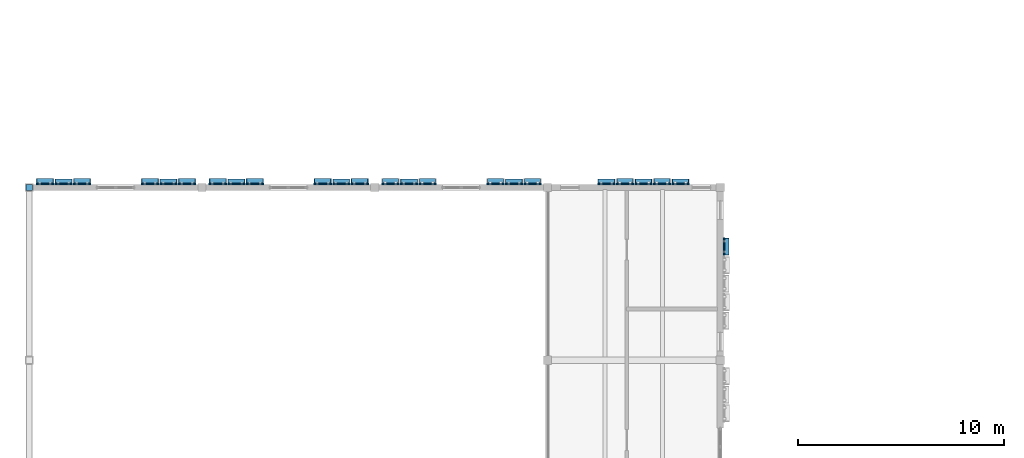
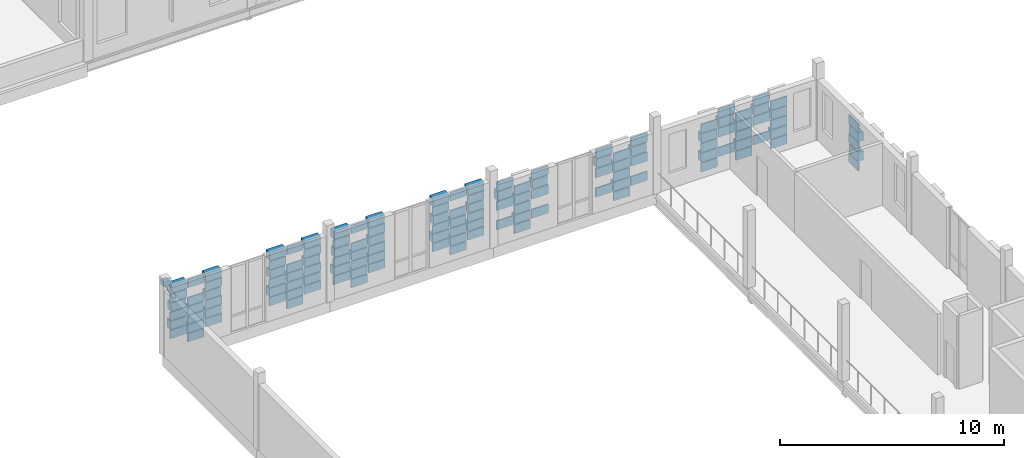
# One storey, part 50 of 81: 127 plates.
"""IFC4 building model written with IfcOpenShell, lengths in metres."""

from ifc_helpers import new_model, si_unit, direction, frame, origin, origin_2d, place, context, subcontext, project, spatial, rectangle, extrude, material, layer, layer_set, type_object, element, save


model = new_model("IFC4")

# Units and contexts
model_context = context("Model", 3, precision=1e-05, world=origin(), true_north=direction((0.0, 1.0)))
body_context = subcontext(model_context, "Body", "Model", "MODEL_VIEW")
ifc_project = project(units=[si_unit("LENGTHUNIT", "METRE"), si_unit("AREAUNIT", "SQUARE_METRE"), si_unit("VOLUMEUNIT", "CUBIC_METRE"), si_unit("PLANEANGLEUNIT", "RADIAN"), si_unit("MASSUNIT", "GRAM", prefix="KILO")], contexts=[model_context])

# Site, building, storey
site_placement = place(None, origin())
site = spatial("IfcSite", under=ifc_project, at=site_placement, CompositionType="ELEMENT")
building_placement = place(site_placement, origin())
building = spatial("IfcBuilding", under=site, at=building_placement, Name="Kahlenmark Community Centre", CompositionType="ELEMENT")
storey_placement = place(building_placement, frame((0.0, 0.0, 9.60009765625)))
storey = spatial("IfcBuildingStorey", under=building, at=storey_placement, Name="L02", CompositionType="ELEMENT", Elevation=9.60009765625)

# Plates
ifc_material_1 = material(Name="Extruded warm terracotta recessed weave tile", Category="masonry")
ifc_layer_1 = layer(ifc_material_1, 0.06005859375)
ifc_layer_set_1 = layer_set([ifc_layer_1], Name="Extruded warm terracotta recessed weave tile")
plate_type_1 = type_object("IfcPlateType", Name="PLT-TC-TC-R10-840X60X450", PredefinedType="SHEET", material=ifc_layer_set_1)
for number, where, z_axis, x_axis, name in (
    (1, (10.77001953125, 76.179931640625, 0.10009765625), (0.0, 0.0, 1.0), (-1.0, 0.0, 0.0), "Basketweave terracotta cassette 2480"),
    (2, (10.77001953125, 76.179931640625, 1.080078125), (0.0, 0.0, 1.0), (-1.0, 0.0, 0.0), "Basketweave terracotta cassette 2482"),
    (3, (10.77001953125, 76.179931640625, 2.06005859375), (0.0, 0.0, 1.0), (-1.0, 0.0, 0.0), "Basketweave terracotta cassette 2484"),
    (4, (10.77001953125, 76.179931640625, 3.0400390625), (0.0, 0.0, 1.0), (-1.0, 0.0, 0.0), "Basketweave terracotta cassette 2486"),
    (5, (5.669921875, 76.179931640625, 0.10009765625), (0.0, 0.0, 1.0), (-1.0, 0.0, 0.0), "Basketweave terracotta cassette 2501"),
    (6, (5.669921875, 76.179931640625, 1.080078125), (0.0, 0.0, 1.0), (-1.0, 0.0, 0.0), "Basketweave terracotta cassette 2503"),
    (7, (5.669921875, 76.179931640625, 2.06005859375), (0.0, 0.0, 1.0), (-1.0, 0.0, 0.0), "Basketweave terracotta cassette 2505"),
    (8, (5.669921875, 76.179931640625, 3.0400390625), (0.0, 0.0, 1.0), (-1.0, 0.0, 0.0), "Basketweave terracotta cassette 2507"),
    (9, (19.169921875, 76.179931640625, 0.10009765625), (0.0, 0.0, 1.0), (-1.0, 0.0, 0.0), "Basketweave terracotta cassette 2522"),
    (10, (19.169921875, 76.179931640625, 1.080078125), (0.0, 0.0, 1.0), (-1.0, 0.0, 0.0), "Basketweave terracotta cassette 2524"),
    (11, (19.169921875, 76.179931640625, 2.06005859375), (0.0, 0.0, 1.0), (-1.0, 0.0, 0.0), "Basketweave terracotta cassette 2526"),
    (12, (19.169921875, 76.179931640625, 3.0400390625), (0.0, 0.0, 1.0), (-1.0, 0.0, 0.0), "Basketweave terracotta cassette 2528"),
    (13, (14.070068359375, 76.179931640625, 0.10009765625), (0.0, 0.0, 1.0), (-1.0, 0.0, 0.0), "Basketweave terracotta cassette 2543"),
    (14, (14.070068359375, 76.179931640625, 1.080078125), (0.0, 0.0, 1.0), (-1.0, 0.0, 0.0), "Basketweave terracotta cassette 2545"),
    (15, (14.070068359375, 76.179931640625, 2.06005859375), (0.0, 0.0, 1.0), (-1.0, 0.0, 0.0), "Basketweave terracotta cassette 2547"),
    (16, (14.070068359375, 76.179931640625, 3.0400390625), (0.0, 0.0, 1.0), (-1.0, 0.0, 0.0), "Basketweave terracotta cassette 2549"),
):
    element("IfcPlate", number, at=place(storey_placement, frame(where, z_axis=z_axis, x_axis=x_axis)), inside=storey, type_object=plate_type_1, Name=name, PredefinedType="SHEET", context=body_context, shape_type="SweptSolid", body=[
        extrude(rectangle(XDim=0.840087890625, YDim=0.06005859375, at=origin_2d()), origin(), (0.0, 0.0, 1.0), 0.449951171875),
    ])
ifc_layer_2 = layer(ifc_material_1, 0.06005859375)
ifc_layer_set_2 = layer_set([ifc_layer_2], Name="Extruded warm terracotta recessed weave tile")
plate_type_2 = type_object("IfcPlateType", Name="PLT-TC-TC-R10-840X60X485", PredefinedType="SHEET", material=ifc_layer_set_2)
for number, where, z_axis, x_axis, name in (
    (17, (27.570068359375, 76.179931640625, 0.099609375), (0.0, 0.0, 1.0), (-1.0, 0.0, 0.0), "Basketweave terracotta cassette 2563"),
    (18, (27.570068359375, 76.179931640625, 1.14990234375), (0.0, 0.0, 1.0), (-1.0, 0.0, 0.0), "Basketweave terracotta cassette 2565"),
    (19, (27.570068359375, 76.179931640625, 2.19970703125), (0.0, 0.0, 1.0), (-1.0, 0.0, 0.0), "Basketweave terracotta cassette 2567"),
    (20, (22.469970703125, 76.179931640625, 0.099609375), (0.0, 0.0, 1.0), (-1.0, 0.0, 0.0), "Basketweave terracotta cassette 2581"),
    (21, (22.469970703125, 76.179931640625, 1.14990234375), (0.0, 0.0, 1.0), (-1.0, 0.0, 0.0), "Basketweave terracotta cassette 2583"),
    (22, (22.469970703125, 76.179931640625, 2.19970703125), (0.0, 0.0, 1.0), (-1.0, 0.0, 0.0), "Basketweave terracotta cassette 2585"),
    (23, (35.669921875, 76.179931640625, 0.099609375), (0.0, 0.0, 1.0), (-1.0, 0.0, 0.0), "Basketweave terracotta cassette 2593"),
    (24, (35.669921875, 76.179931640625, 1.14990234375), (0.0, 0.0, 1.0), (-1.0, 0.0, 0.0), "Basketweave terracotta cassette 2595"),
    (25, (35.669921875, 76.179931640625, 2.19970703125), (0.0, 0.0, 1.0), (-1.0, 0.0, 0.0), "Basketweave terracotta cassette 2597"),
    (26, (33.8701171875, 76.179931640625, 0.099609375), (0.0, 0.0, 1.0), (-1.0, 0.0, 0.0), "Basketweave terracotta cassette 2605"),
    (27, (33.8701171875, 76.179931640625, 1.14990234375), (0.0, 0.0, 1.0), (-1.0, 0.0, 0.0), "Basketweave terracotta cassette 2607"),
    (28, (33.8701171875, 76.179931640625, 2.19970703125), (0.0, 0.0, 1.0), (-1.0, 0.0, 0.0), "Basketweave terracotta cassette 2609"),
    (29, (32.070068359375, 76.179931640625, 0.099609375), (0.0, 0.0, 1.0), (-1.0, 0.0, 0.0), "Basketweave terracotta cassette 2617"),
    (30, (32.070068359375, 76.179931640625, 1.14990234375), (0.0, 0.0, 1.0), (-1.0, 0.0, 0.0), "Basketweave terracotta cassette 2619"),
    (31, (32.070068359375, 76.179931640625, 2.19970703125), (0.0, 0.0, 1.0), (-1.0, 0.0, 0.0), "Basketweave terracotta cassette 2621"),
    (32, (37.780029296875, 73.1298828125, 0.099609375), (0.0, 0.0, 1.0), (0.0, 1.0, 0.0), "Basketweave terracotta cassette 2755"),
    (33, (37.780029296875, 73.1298828125, 1.14990234375), (0.0, 0.0, 1.0), (0.0, 1.0, 0.0), "Basketweave terracotta cassette 2757"),
    (34, (37.780029296875, 73.1298828125, 2.19970703125), (0.0, 0.0, 1.0), (0.0, 1.0, 0.0), "Basketweave terracotta cassette 2759"),
):
    element("IfcPlate", number, at=place(storey_placement, frame(where, z_axis=z_axis, x_axis=x_axis)), inside=storey, type_object=plate_type_2, Name=name, PredefinedType="SHEET", context=body_context, shape_type="SweptSolid", body=[
        extrude(rectangle(XDim=0.840087890625, YDim=0.06005859375, at=origin_2d()), origin(), (0.0, 0.0, 1.0), 0.485107421875),
    ])
ifc_layer_3 = layer(ifc_material_1, 0.06005859375)
ifc_layer_set_3 = layer_set([ifc_layer_3], Name="Extruded warm terracotta recessed weave tile")
plate_type_3 = type_object("IfcPlateType", Name="PLT-TC-TC-R10-860X60X450", PredefinedType="SHEET", material=ifc_layer_set_3)
for number, where, z_axis, x_axis, name in (
    (35, (11.669921875, 76.179931640625, 0.58984375), (0.0, 0.0, 1.0), (-1.0, 0.0, 0.0), "Basketweave terracotta cassette 2474"),
    (36, (11.669921875, 76.179931640625, 1.56982421875), (0.0, 0.0, 1.0), (-1.0, 0.0, 0.0), "Basketweave terracotta cassette 2476"),
    (37, (11.669921875, 76.179931640625, 2.5498046875), (0.0, 0.0, 1.0), (-1.0, 0.0, 0.0), "Basketweave terracotta cassette 2478"),
    (38, (9.8701171875, 76.179931640625, 0.58984375), (0.0, 0.0, 1.0), (-1.0, 0.0, 0.0), "Basketweave terracotta cassette 2488"),
    (39, (9.8701171875, 76.179931640625, 1.56982421875), (0.0, 0.0, 1.0), (-1.0, 0.0, 0.0), "Basketweave terracotta cassette 2490"),
    (40, (9.8701171875, 76.179931640625, 2.5498046875), (0.0, 0.0, 1.0), (-1.0, 0.0, 0.0), "Basketweave terracotta cassette 2492"),
    (41, (6.570068359375, 76.179931640625, 0.58984375), (0.0, 0.0, 1.0), (-1.0, 0.0, 0.0), "Basketweave terracotta cassette 2495"),
    (42, (6.570068359375, 76.179931640625, 1.56982421875), (0.0, 0.0, 1.0), (-1.0, 0.0, 0.0), "Basketweave terracotta cassette 2497"),
    (43, (6.570068359375, 76.179931640625, 2.5498046875), (0.0, 0.0, 1.0), (-1.0, 0.0, 0.0), "Basketweave terracotta cassette 2499"),
    (44, (4.77001953125, 76.179931640625, 0.58984375), (0.0, 0.0, 1.0), (-1.0, 0.0, 0.0), "Basketweave terracotta cassette 2509"),
    (45, (4.77001953125, 76.179931640625, 1.56982421875), (0.0, 0.0, 1.0), (-1.0, 0.0, 0.0), "Basketweave terracotta cassette 2511"),
    (46, (4.77001953125, 76.179931640625, 2.5498046875), (0.0, 0.0, 1.0), (-1.0, 0.0, 0.0), "Basketweave terracotta cassette 2513"),
    (47, (20.070068359375, 76.179931640625, 0.58984375), (0.0, 0.0, 1.0), (-1.0, 0.0, 0.0), "Basketweave terracotta cassette 2516"),
    (48, (20.070068359375, 76.179931640625, 1.56982421875), (0.0, 0.0, 1.0), (-1.0, 0.0, 0.0), "Basketweave terracotta cassette 2518"),
    (49, (20.070068359375, 76.179931640625, 2.5498046875), (0.0, 0.0, 1.0), (-1.0, 0.0, 0.0), "Basketweave terracotta cassette 2520"),
    (50, (18.27001953125, 76.179931640625, 0.58984375), (0.0, 0.0, 1.0), (-1.0, 0.0, 0.0), "Basketweave terracotta cassette 2530"),
    (51, (18.27001953125, 76.179931640625, 1.56982421875), (0.0, 0.0, 1.0), (-1.0, 0.0, 0.0), "Basketweave terracotta cassette 2532"),
    (52, (18.27001953125, 76.179931640625, 2.5498046875), (0.0, 0.0, 1.0), (-1.0, 0.0, 0.0), "Basketweave terracotta cassette 2534"),
    (53, (14.969970703125, 76.179931640625, 0.58984375), (0.0, 0.0, 1.0), (-1.0, 0.0, 0.0), "Basketweave terracotta cassette 2537"),
    (54, (14.969970703125, 76.179931640625, 1.56982421875), (0.0, 0.0, 1.0), (-1.0, 0.0, 0.0), "Basketweave terracotta cassette 2539"),
    (55, (14.969970703125, 76.179931640625, 2.5498046875), (0.0, 0.0, 1.0), (-1.0, 0.0, 0.0), "Basketweave terracotta cassette 2541"),
    (56, (13.169921875, 76.179931640625, 0.58984375), (0.0, 0.0, 1.0), (-1.0, 0.0, 0.0), "Basketweave terracotta cassette 2551"),
    (57, (13.169921875, 76.179931640625, 1.56982421875), (0.0, 0.0, 1.0), (-1.0, 0.0, 0.0), "Basketweave terracotta cassette 2553"),
    (58, (13.169921875, 76.179931640625, 2.5498046875), (0.0, 0.0, 1.0), (-1.0, 0.0, 0.0), "Basketweave terracotta cassette 2555"),
):
    element("IfcPlate", number, at=place(storey_placement, frame(where, z_axis=z_axis, x_axis=x_axis)), inside=storey, type_object=plate_type_3, Name=name, PredefinedType="SHEET", context=body_context, shape_type="SweptSolid", body=[
        extrude(rectangle(XDim=0.860107421875, YDim=0.06005859375, at=origin_2d()), origin(), (0.0, 0.0, 1.0), 0.449951171875),
    ])
ifc_layer_4 = layer(ifc_material_1, 0.06005859375)
ifc_layer_set_4 = layer_set([ifc_layer_4], Name="Extruded warm terracotta recessed weave tile")
plate_type_4 = type_object("IfcPlateType", Name="PLT-TC-TC-R10-860X60X485", PredefinedType="SHEET", material=ifc_layer_set_4)
for number, where, z_axis, x_axis, name in (
    (59, (28.469970703125, 76.179931640625, 0.625), (0.0, 0.0, 1.0), (-1.0, 0.0, 0.0), "Basketweave terracotta cassette 2558"),
    (60, (28.469970703125, 76.179931640625, 1.6748046875), (0.0, 0.0, 1.0), (-1.0, 0.0, 0.0), "Basketweave terracotta cassette 2560"),
    (61, (28.469970703125, 76.179931640625, 2.724609375), (0.0, 0.0, 1.0), (-1.0, 0.0, 0.0), "Basketweave terracotta cassette 2562"),
    (62, (26.669921875, 76.179931640625, 0.625), (0.0, 0.0, 1.0), (-1.0, 0.0, 0.0), "Basketweave terracotta cassette 2570"),
    (63, (26.669921875, 76.179931640625, 1.6748046875), (0.0, 0.0, 1.0), (-1.0, 0.0, 0.0), "Basketweave terracotta cassette 2572"),
    (64, (26.669921875, 76.179931640625, 2.724609375), (0.0, 0.0, 1.0), (-1.0, 0.0, 0.0), "Basketweave terracotta cassette 2574"),
    (65, (23.3701171875, 76.179931640625, 0.625), (0.0, 0.0, 1.0), (-1.0, 0.0, 0.0), "Basketweave terracotta cassette 2576"),
    (66, (23.3701171875, 76.179931640625, 1.6748046875), (0.0, 0.0, 1.0), (-1.0, 0.0, 0.0), "Basketweave terracotta cassette 2578"),
    (67, (23.3701171875, 76.179931640625, 2.724609375), (0.0, 0.0, 1.0), (-1.0, 0.0, 0.0), "Basketweave terracotta cassette 2580"),
    (68, (21.570068359375, 76.179931640625, 0.625), (0.0, 0.0, 1.0), (-1.0, 0.0, 0.0), "Basketweave terracotta cassette 2588"),
    (69, (21.570068359375, 76.179931640625, 1.6748046875), (0.0, 0.0, 1.0), (-1.0, 0.0, 0.0), "Basketweave terracotta cassette 2590"),
    (70, (21.570068359375, 76.179931640625, 2.724609375), (0.0, 0.0, 1.0), (-1.0, 0.0, 0.0), "Basketweave terracotta cassette 2592"),
    (71, (34.77001953125, 76.179931640625, 0.625), (0.0, 0.0, 1.0), (-1.0, 0.0, 0.0), "Basketweave terracotta cassette 2600"),
    (72, (34.77001953125, 76.179931640625, 1.6748046875), (0.0, 0.0, 1.0), (-1.0, 0.0, 0.0), "Basketweave terracotta cassette 2602"),
    (73, (34.77001953125, 76.179931640625, 2.724609375), (0.0, 0.0, 1.0), (-1.0, 0.0, 0.0), "Basketweave terracotta cassette 2604"),
    (74, (32.969970703125, 76.179931640625, 0.625), (0.0, 0.0, 1.0), (-1.0, 0.0, 0.0), "Basketweave terracotta cassette 2612"),
    (75, (32.969970703125, 76.179931640625, 1.6748046875), (0.0, 0.0, 1.0), (-1.0, 0.0, 0.0), "Basketweave terracotta cassette 2614"),
    (76, (32.969970703125, 76.179931640625, 2.724609375), (0.0, 0.0, 1.0), (-1.0, 0.0, 0.0), "Basketweave terracotta cassette 2616"),
):
    element("IfcPlate", number, at=place(storey_placement, frame(where, z_axis=z_axis, x_axis=x_axis)), inside=storey, type_object=plate_type_4, Name=name, PredefinedType="SHEET", context=body_context, shape_type="SweptSolid", body=[
        extrude(rectangle(XDim=0.860107421875, YDim=0.06005859375, at=origin_2d()), origin(), (0.0, 0.0, 1.0), 0.485107421875),
    ])
ifc_material_2 = material(Name="Extruded glazed terracotta weave cassette", Category="masonry")
ifc_layer_5 = layer(ifc_material_2, 0.300048828125)
ifc_layer_set_5 = layer_set([ifc_layer_5], Name="Extruded glazed terracotta weave cassette")
plate_type_5 = type_object("IfcPlateType", Name="PLT-TC-TC-R34-780X300X450", PredefinedType="SHEET", material=ifc_layer_set_5)
for number, where, z_axis, x_axis, name in (
    (77, (11.669921875, 76.300048828125, 2.06005859375), (0.0, 0.0, 1.0), (-1.0, 0.0, 0.0), "Basketweave terracotta cassette 2477"),
    (78, (9.8701171875, 76.300048828125, 2.06005859375), (0.0, 0.0, 1.0), (-1.0, 0.0, 0.0), "Basketweave terracotta cassette 2491"),
    (79, (6.570068359375, 76.300048828125, 2.06005859375), (0.0, 0.0, 1.0), (-1.0, 0.0, 0.0), "Basketweave terracotta cassette 2498"),
    (80, (4.77001953125, 76.300048828125, 2.06005859375), (0.0, 0.0, 1.0), (-1.0, 0.0, 0.0), "Basketweave terracotta cassette 2512"),
    (81, (20.070068359375, 76.300048828125, 2.06005859375), (0.0, 0.0, 1.0), (-1.0, 0.0, 0.0), "Basketweave terracotta cassette 2519"),
    (82, (18.27001953125, 76.300048828125, 2.06005859375), (0.0, 0.0, 1.0), (-1.0, 0.0, 0.0), "Basketweave terracotta cassette 2533"),
    (83, (14.969970703125, 76.300048828125, 2.06005859375), (0.0, 0.0, 1.0), (-1.0, 0.0, 0.0), "Basketweave terracotta cassette 2540"),
    (84, (13.169921875, 76.300048828125, 2.06005859375), (0.0, 0.0, 1.0), (-1.0, 0.0, 0.0), "Basketweave terracotta cassette 2554"),
):
    element("IfcPlate", number, at=place(storey_placement, frame(where, z_axis=z_axis, x_axis=x_axis)), inside=storey, type_object=plate_type_5, Name=name, PredefinedType="SHEET", context=body_context, shape_type="SweptSolid", body=[
        extrude(rectangle(XDim=0.780029296875, YDim=0.300048828125, at=origin_2d()), origin(), (0.0, 0.0, 1.0), 0.449951171875),
    ])
ifc_layer_6 = layer(ifc_material_2, 0.300048828125)
ifc_layer_set_6 = layer_set([ifc_layer_6], Name="Extruded glazed terracotta weave cassette")
plate_type_6 = type_object("IfcPlateType", Name="PLT-TC-TC-R34-780X300X485", PredefinedType="SHEET", material=ifc_layer_set_6)
for number, where, z_axis, x_axis, name in (
    (85, (28.469970703125, 76.300048828125, 2.19970703125), (0.0, 0.0, 1.0), (-1.0, 0.0, 0.0), "Basketweave terracotta cassette 2561"),
    (86, (26.669921875, 76.300048828125, 2.19970703125), (0.0, 0.0, 1.0), (-1.0, 0.0, 0.0), "Basketweave terracotta cassette 2573"),
    (87, (23.3701171875, 76.300048828125, 2.19970703125), (0.0, 0.0, 1.0), (-1.0, 0.0, 0.0), "Basketweave terracotta cassette 2579"),
    (88, (21.570068359375, 76.300048828125, 2.19970703125), (0.0, 0.0, 1.0), (-1.0, 0.0, 0.0), "Basketweave terracotta cassette 2591"),
    (89, (34.77001953125, 76.300048828125, 2.19970703125), (0.0, 0.0, 1.0), (-1.0, 0.0, 0.0), "Basketweave terracotta cassette 2603"),
    (90, (32.969970703125, 76.300048828125, 2.19970703125), (0.0, 0.0, 1.0), (-1.0, 0.0, 0.0), "Basketweave terracotta cassette 2615"),
):
    element("IfcPlate", number, at=place(storey_placement, frame(where, z_axis=z_axis, x_axis=x_axis)), inside=storey, type_object=plate_type_6, Name=name, PredefinedType="SHEET", context=body_context, shape_type="SweptSolid", body=[
        extrude(rectangle(XDim=0.780029296875, YDim=0.300048828125, at=origin_2d()), origin(), (0.0, 0.0, 1.0), 0.485107421875),
    ])
ifc_layer_7 = layer(ifc_material_2, 0.300048828125)
ifc_layer_set_7 = layer_set([ifc_layer_7], Name="Extruded glazed terracotta weave cassette")
plate_type_7 = type_object("IfcPlateType", Name="PLT-TC-TC-R34-820X300X450", PredefinedType="SHEET", material=ifc_layer_set_7)
for number, where, z_axis, x_axis, name in (
    (91, (11.669921875, 76.300048828125, 3.0400390625), (0.0, 0.0, 1.0), (-1.0, 0.0, 0.0), "Basketweave terracotta cassette 2479"),
    (92, (9.8701171875, 76.300048828125, 3.0400390625), (0.0, 0.0, 1.0), (-1.0, 0.0, 0.0), "Basketweave terracotta cassette 2493"),
    (93, (6.570068359375, 76.300048828125, 3.0400390625), (0.0, 0.0, 1.0), (-1.0, 0.0, 0.0), "Basketweave terracotta cassette 2500"),
    (94, (4.77001953125, 76.300048828125, 3.0400390625), (0.0, 0.0, 1.0), (-1.0, 0.0, 0.0), "Basketweave terracotta cassette 2514"),
    (95, (20.070068359375, 76.300048828125, 3.0400390625), (0.0, 0.0, 1.0), (-1.0, 0.0, 0.0), "Basketweave terracotta cassette 2521"),
    (96, (18.27001953125, 76.300048828125, 3.0400390625), (0.0, 0.0, 1.0), (-1.0, 0.0, 0.0), "Basketweave terracotta cassette 2535"),
    (97, (14.969970703125, 76.300048828125, 3.0400390625), (0.0, 0.0, 1.0), (-1.0, 0.0, 0.0), "Basketweave terracotta cassette 2542"),
    (98, (13.169921875, 76.300048828125, 3.0400390625), (0.0, 0.0, 1.0), (-1.0, 0.0, 0.0), "Basketweave terracotta cassette 2556"),
):
    element("IfcPlate", number, at=place(storey_placement, frame(where, z_axis=z_axis, x_axis=x_axis)), inside=storey, type_object=plate_type_7, Name=name, PredefinedType="SHEET", context=body_context, shape_type="SweptSolid", body=[
        extrude(rectangle(XDim=0.820068359375, YDim=0.300048828125, at=origin_2d()), origin(), (0.0, 0.0, 1.0), 0.449951171875),
    ])
ifc_layer_8 = layer(ifc_material_2, 0.300048828125)
ifc_layer_set_8 = layer_set([ifc_layer_8], Name="Extruded glazed terracotta weave cassette")
plate_type_8 = type_object("IfcPlateType", Name="PLT-TC-TC-R34-840X300X450", PredefinedType="SHEET", material=ifc_layer_set_8)
for number, where, z_axis, x_axis, name in (
    (99, (11.669921875, 76.300048828125, 1.080078125), (0.0, 0.0, 1.0), (-1.0, 0.0, 0.0), "Basketweave terracotta cassette 2475"),
    (100, (9.8701171875, 76.300048828125, 1.080078125), (0.0, 0.0, 1.0), (-1.0, 0.0, 0.0), "Basketweave terracotta cassette 2489"),
    (101, (6.570068359375, 76.300048828125, 1.080078125), (0.0, 0.0, 1.0), (-1.0, 0.0, 0.0), "Basketweave terracotta cassette 2496"),
    (102, (4.77001953125, 76.300048828125, 1.080078125), (0.0, 0.0, 1.0), (-1.0, 0.0, 0.0), "Basketweave terracotta cassette 2510"),
    (103, (20.070068359375, 76.300048828125, 1.080078125), (0.0, 0.0, 1.0), (-1.0, 0.0, 0.0), "Basketweave terracotta cassette 2517"),
    (104, (18.27001953125, 76.300048828125, 1.080078125), (0.0, 0.0, 1.0), (-1.0, 0.0, 0.0), "Basketweave terracotta cassette 2531"),
    (105, (14.969970703125, 76.300048828125, 1.080078125), (0.0, 0.0, 1.0), (-1.0, 0.0, 0.0), "Basketweave terracotta cassette 2538"),
    (106, (13.169921875, 76.300048828125, 1.080078125), (0.0, 0.0, 1.0), (-1.0, 0.0, 0.0), "Basketweave terracotta cassette 2552"),
):
    element("IfcPlate", number, at=place(storey_placement, frame(where, z_axis=z_axis, x_axis=x_axis)), inside=storey, type_object=plate_type_8, Name=name, PredefinedType="SHEET", context=body_context, shape_type="SweptSolid", body=[
        extrude(rectangle(XDim=0.840087890625, YDim=0.300048828125, at=origin_2d()), origin(), (0.0, 0.0, 1.0), 0.449951171875),
    ])
ifc_layer_9 = layer(ifc_material_2, 0.280029296875)
ifc_layer_set_9 = layer_set([ifc_layer_9], Name="Extruded glazed terracotta weave cassette")
plate_type_9 = type_object("IfcPlateType", Name="PLT-TC-TC-W30-800X280X450", PredefinedType="SHEET", material=ifc_layer_set_9)
for number, where, z_axis, x_axis, name in (
    (107, (10.77001953125, 76.2900390625, 1.56982421875), (0.0, 0.0, 1.0), (-1.0, 0.0, 0.0), "Basketweave terracotta cassette 2483"),
    (108, (5.669921875, 76.2900390625, 1.56982421875), (0.0, 0.0, 1.0), (-1.0, 0.0, 0.0), "Basketweave terracotta cassette 2504"),
    (109, (19.169921875, 76.2900390625, 1.56982421875), (0.0, 0.0, 1.0), (-1.0, 0.0, 0.0), "Basketweave terracotta cassette 2525"),
    (110, (14.070068359375, 76.2900390625, 1.56982421875), (0.0, 0.0, 1.0), (-1.0, 0.0, 0.0), "Basketweave terracotta cassette 2546"),
):
    element("IfcPlate", number, at=place(storey_placement, frame(where, z_axis=z_axis, x_axis=x_axis)), inside=storey, type_object=plate_type_9, Name=name, PredefinedType="SHEET", context=body_context, shape_type="SweptSolid", body=[
        extrude(rectangle(XDim=0.800048828125, YDim=0.280029296875, at=origin_2d()), origin(), (0.0, 0.0, 1.0), 0.449951171875),
    ])
ifc_layer_10 = layer(ifc_material_2, 0.280029296875)
ifc_layer_set_10 = layer_set([ifc_layer_10], Name="Extruded glazed terracotta weave cassette")
plate_type_10 = type_object("IfcPlateType", Name="PLT-TC-TC-W30-800X280X485", PredefinedType="SHEET", material=ifc_layer_set_10)
for number, where, z_axis, x_axis, name in (
    (111, (27.570068359375, 76.2900390625, 1.6748046875), (0.0, 0.0, 1.0), (-1.0, 0.0, 0.0), "Basketweave terracotta cassette 2566"),
    (112, (22.469970703125, 76.2900390625, 1.6748046875), (0.0, 0.0, 1.0), (-1.0, 0.0, 0.0), "Basketweave terracotta cassette 2584"),
    (113, (35.669921875, 76.2900390625, 1.6748046875), (0.0, 0.0, 1.0), (-1.0, 0.0, 0.0), "Basketweave terracotta cassette 2596"),
    (114, (33.8701171875, 76.2900390625, 1.6748046875), (0.0, 0.0, 1.0), (-1.0, 0.0, 0.0), "Basketweave terracotta cassette 2608"),
    (115, (32.070068359375, 76.2900390625, 1.6748046875), (0.0, 0.0, 1.0), (-1.0, 0.0, 0.0), "Basketweave terracotta cassette 2620"),
    (116, (37.889892578125, 73.1298828125, 1.6748046875), (0.0, 0.0, 1.0), (0.0, 1.0, 0.0), "Basketweave terracotta cassette 2758"),
):
    element("IfcPlate", number, at=place(storey_placement, frame(where, z_axis=z_axis, x_axis=x_axis)), inside=storey, type_object=plate_type_10, Name=name, PredefinedType="SHEET", context=body_context, shape_type="SweptSolid", body=[
        extrude(rectangle(XDim=0.800048828125, YDim=0.280029296875, at=origin_2d()), origin(), (0.0, 0.0, 1.0), 0.485107421875),
    ])
ifc_layer_11 = layer(ifc_material_2, 0.280029296875)
ifc_layer_set_11 = layer_set([ifc_layer_11], Name="Extruded glazed terracotta weave cassette")
plate_type_11 = type_object("IfcPlateType", Name="PLT-TC-TC-W30-820X280X450", PredefinedType="SHEET", material=ifc_layer_set_11)
for number, where, z_axis, x_axis, name in (
    (117, (10.77001953125, 76.2900390625, 0.58984375), (0.0, 0.0, 1.0), (-1.0, 0.0, 0.0), "Basketweave terracotta cassette 2481"),
    (118, (5.669921875, 76.2900390625, 0.58984375), (0.0, 0.0, 1.0), (-1.0, 0.0, 0.0), "Basketweave terracotta cassette 2502"),
    (119, (19.169921875, 76.2900390625, 0.58984375), (0.0, 0.0, 1.0), (-1.0, 0.0, 0.0), "Basketweave terracotta cassette 2523"),
    (120, (14.070068359375, 76.2900390625, 0.58984375), (0.0, 0.0, 1.0), (-1.0, 0.0, 0.0), "Basketweave terracotta cassette 2544"),
):
    element("IfcPlate", number, at=place(storey_placement, frame(where, z_axis=z_axis, x_axis=x_axis)), inside=storey, type_object=plate_type_11, Name=name, PredefinedType="SHEET", context=body_context, shape_type="SweptSolid", body=[
        extrude(rectangle(XDim=0.820068359375, YDim=0.280029296875, at=origin_2d()), origin(), (0.0, 0.0, 1.0), 0.449951171875),
    ])
ifc_layer_12 = layer(ifc_material_2, 0.280029296875)
ifc_layer_set_12 = layer_set([ifc_layer_12], Name="Extruded glazed terracotta weave cassette")
plate_type_12 = type_object("IfcPlateType", Name="PLT-TC-TC-W30-820X280X485", PredefinedType="SHEET", material=ifc_layer_set_12)
for number, where, z_axis, x_axis, name in (
    (121, (27.570068359375, 76.2900390625, 0.625), (0.0, 0.0, 1.0), (-1.0, 0.0, 0.0), "Basketweave terracotta cassette 2564"),
    (122, (22.469970703125, 76.2900390625, 0.625), (0.0, 0.0, 1.0), (-1.0, 0.0, 0.0), "Basketweave terracotta cassette 2582"),
    (123, (35.669921875, 76.2900390625, 0.625), (0.0, 0.0, 1.0), (-1.0, 0.0, 0.0), "Basketweave terracotta cassette 2594"),
    (124, (33.8701171875, 76.2900390625, 0.625), (0.0, 0.0, 1.0), (-1.0, 0.0, 0.0), "Basketweave terracotta cassette 2606"),
    (125, (32.070068359375, 76.2900390625, 0.625), (0.0, 0.0, 1.0), (-1.0, 0.0, 0.0), "Basketweave terracotta cassette 2618"),
    (126, (37.889892578125, 73.1298828125, 0.625), (0.0, 0.0, 1.0), (0.0, 1.0, 0.0), "Basketweave terracotta cassette 2756"),
):
    element("IfcPlate", number, at=place(storey_placement, frame(where, z_axis=z_axis, x_axis=x_axis)), inside=storey, type_object=plate_type_12, Name=name, PredefinedType="SHEET", context=body_context, shape_type="SweptSolid", body=[
        extrude(rectangle(XDim=0.820068359375, YDim=0.280029296875, at=origin_2d()), origin(), (0.0, 0.0, 1.0), 0.485107421875),
    ])
ifc_material_3 = material(Name="Steel S355", Category="steel")
ifc_layer_13 = layer(ifc_material_3, 0.02392578125)
ifc_layer_set_13 = layer_set([ifc_layer_13], Name="Steel S355")
plate_type_13 = type_object("IfcPlateType", Name="PT-NODE-BN-01-30X30X28", PredefinedType="USERDEFINED", material=ifc_layer_set_13)
plate_placement = place(storey_placement, frame((4.0, 76.0, 3.759765625), z_axis=(0.0, 0.0, 1.0), x_axis=(1.0, 0.0, 0.0)))
element("IfcPlate", 127, at=plate_placement, inside=storey, type_object=plate_type_13, Name="Steel hollow-node cap plate 0344", ObjectType="STIFFENER_PLATE", PredefinedType="USERDEFINED", context=body_context, shape_type="SweptSolid", body=[
    extrude(rectangle(XDim=0.300048828125, YDim=0.300048828125, at=origin_2d()), origin(), (0.0, 0.0, 1.0), 0.280029296875),
])

save(model, "model.ifc")
